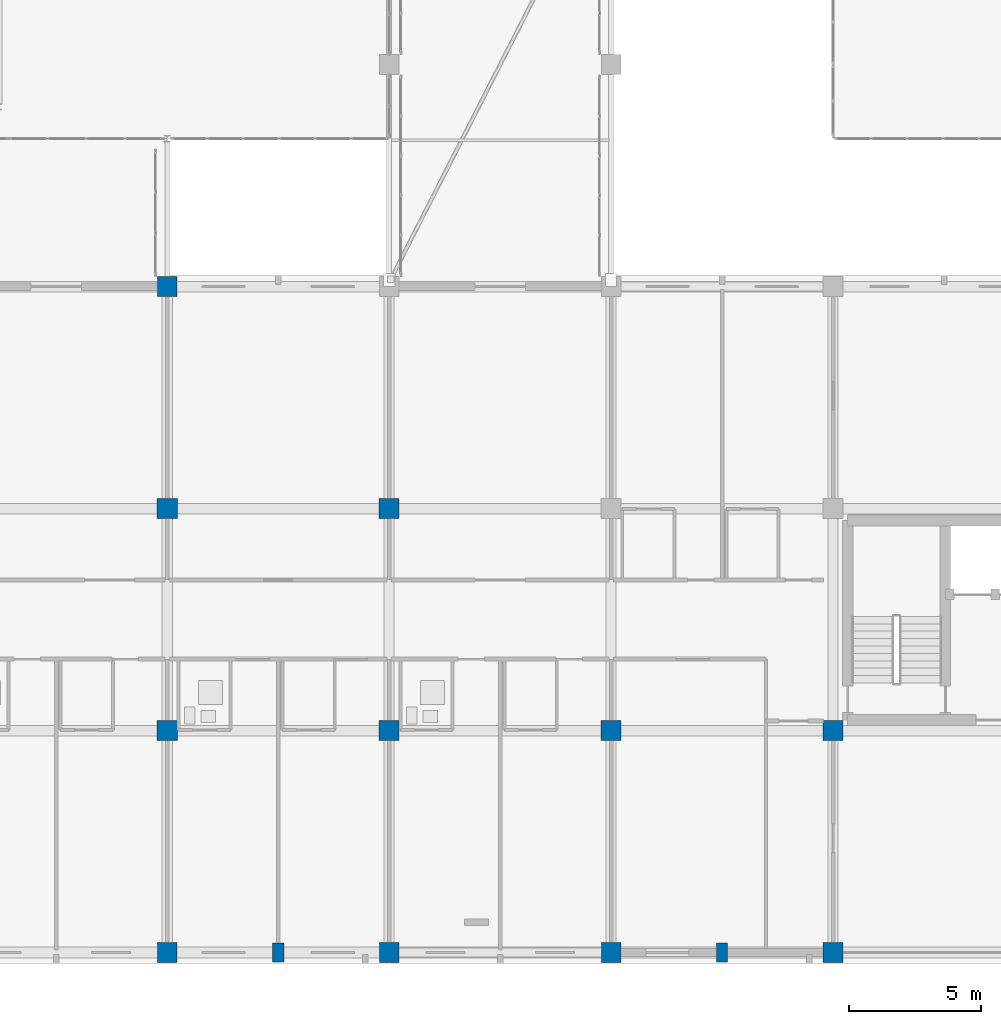
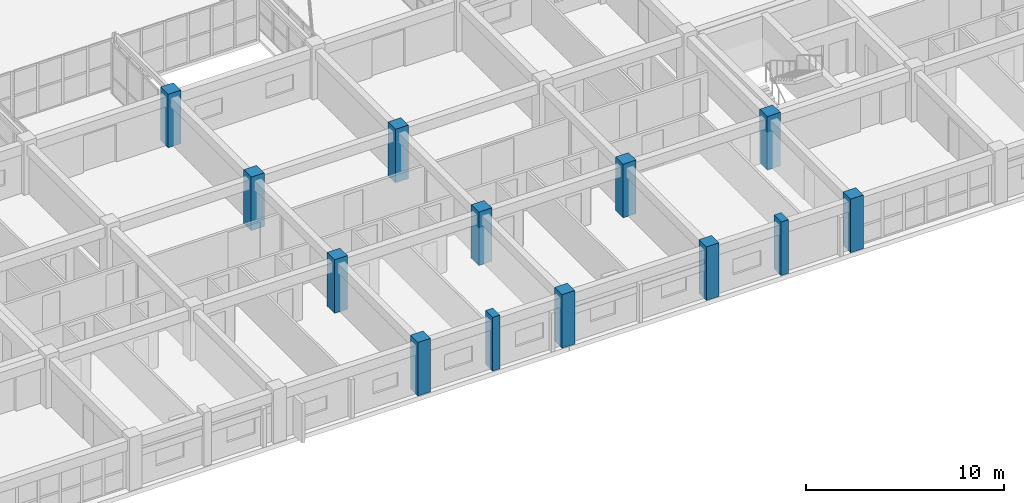
# One storey, part 6 of 200: 13 columns.
"""IFC4 building model written with IfcOpenShell, lengths in metres."""

from ifc_helpers import new_model, si_unit, direction, frame, origin, origin_2d, place, context, subcontext, project, spatial, rectangle, extrude, material, material_profile, profile_set, type_object, element, save


model = new_model("IFC4")

# Units and contexts
model_context = context("Model", 3, precision=1e-05, world=origin(), true_north=direction((0.0, 1.0)))
body_context = subcontext(model_context, "Body", "Model", "MODEL_VIEW")
ifc_project = project(units=[si_unit("LENGTHUNIT", "METRE"), si_unit("AREAUNIT", "SQUARE_METRE"), si_unit("VOLUMEUNIT", "CUBIC_METRE"), si_unit("PLANEANGLEUNIT", "RADIAN"), si_unit("MASSUNIT", "GRAM", prefix="KILO")], contexts=[model_context])

# Site, building, storey
site_placement = place(None, origin())
site = spatial("IfcSite", under=ifc_project, at=site_placement, CompositionType="ELEMENT")
building_placement = place(site_placement, origin())
building = spatial("IfcBuilding", under=site, at=building_placement, Name="Trelvath General Hospital", CompositionType="ELEMENT")
storey_placement = place(building_placement, frame((0.0, 0.0, 4.800048828125)))
storey = spatial("IfcBuildingStorey", under=building, at=storey_placement, Name="L01", CompositionType="ELEMENT", Elevation=4.800048828125)

# Columns
ifc_material_1 = material(Name="Concrete C40/50", Category="concrete")
ifc_material_profile_1 = material_profile(ifc_material_1, rectangle(XDim=0.75, YDim=0.75, at=origin_2d()), Name="RC750x750")
ifc_profile_set_1 = profile_set([ifc_material_profile_1], Name="Concrete C40/50")
column_type_1 = type_object("IfcColumnType", Name="Column RC750", PredefinedType="COLUMN", material=ifc_profile_set_1)
for number, where, z_axis, x_axis, name in (
    (1, (67.199951171875, 0.0, 0.0), (0.0, 0.0, 1.0), (1.0, 0.0, 0.0), "Column C-9A L01"),
    (2, (67.199951171875, 25.199951171875, 0.0), (0.0, 0.0, 1.0), (1.0, 0.0, 0.0), "Column C-9D L01"),
    (3, (75.60009765625, 0.0, 0.0), (0.0, 0.0, 1.0), (1.0, 0.0, 0.0), "Column C-10A L01"),
    (4, (84.0, 0.0, 0.0), (0.0, 0.0, 1.0), (1.0, 0.0, 0.0), "Column C-11A L01"),
    (5, (92.39990234375, 0.0, 0.0), (0.0, 0.0, 1.0), (1.0, 0.0, 0.0), "Column C-12A L01"),
):
    element("IfcColumn", number, at=place(storey_placement, frame(where, z_axis=z_axis, x_axis=x_axis)), inside=storey, type_object=column_type_1, Name=name, PredefinedType="COLUMN", context=body_context, shape_type="SweptSolid", body=[
        extrude(rectangle(XDim=0.75, YDim=0.75, at=origin_2d()), origin(), (0.0, 0.0, 1.0), 3.300048828125),
    ])
ifc_material_2 = material(Name="Concrete C40/50", Category="concrete")
ifc_material_profile_2 = material_profile(ifc_material_2, rectangle(XDim=0.760009765625, YDim=0.760009765625, at=origin_2d()), Name="RC760x760")
ifc_profile_set_2 = profile_set([ifc_material_profile_2], Name="Concrete C40/50")
column_type_2 = type_object("IfcColumnType", Name="Column RC760", PredefinedType="COLUMN", material=ifc_profile_set_2)
for number, where, z_axis, x_axis, name in (
    (6, (67.199951171875, 8.39990234375, 0.0), (0.0, 0.0, 1.0), (1.0, 0.0, 0.0), "Column C-9B L01"),
    (7, (67.199951171875, 16.800048828125, 0.0), (0.0, 0.0, 1.0), (1.0, 0.0, 0.0), "Column C-9C L01"),
    (8, (75.60009765625, 8.39990234375, 0.0), (0.0, 0.0, 1.0), (1.0, 0.0, 0.0), "Column C-10B L01"),
    (9, (75.60009765625, 16.800048828125, 0.0), (0.0, 0.0, 1.0), (1.0, 0.0, 0.0), "Column C-10C L01"),
    (10, (84.0, 8.39990234375, 0.0), (0.0, 0.0, 1.0), (1.0, 0.0, 0.0), "Column C-11B L01"),
    (11, (92.39990234375, 8.39990234375, 0.0), (0.0, 0.0, 1.0), (1.0, 0.0, 0.0), "Column C-12B L01"),
):
    element("IfcColumn", number, at=place(storey_placement, frame(where, z_axis=z_axis, x_axis=x_axis)), inside=storey, type_object=column_type_2, Name=name, PredefinedType="COLUMN", context=body_context, shape_type="SweptSolid", body=[
        extrude(rectangle(XDim=0.760009765625, YDim=0.760009765625, at=origin_2d()), origin(), (0.0, 0.0, 1.0), 3.300048828125),
    ])
ifc_material_3 = material(Name="Concrete C40/50", Category="concrete")
ifc_material_profile_3 = material_profile(ifc_material_3, rectangle(XDim=0.419921875, YDim=0.719970703125, at=origin_2d()), Name="RC420x720")
ifc_profile_set_3 = profile_set([ifc_material_profile_3], Name="Concrete C40/50")
column_type_3 = type_object("IfcColumnType", Name="Pilaster RC420x720", PredefinedType="PILASTER", material=ifc_profile_set_3)
for number, where, z_axis, x_axis, name in (
    (12, (71.39990234375, 0.0, 0.0), (0.0, 0.0, 1.0), (1.0, 0.0, 0.0), "Facade Pilaster PL-S08 L01"),
    (13, (88.199951171875, 0.0, 0.0), (0.0, 0.0, 1.0), (1.0, 0.0, 0.0), "Facade Pilaster PL-S10 L01"),
):
    element("IfcColumn", number, at=place(storey_placement, frame(where, z_axis=z_axis, x_axis=x_axis)), inside=storey, type_object=column_type_3, Name=name, PredefinedType="PILASTER", context=body_context, shape_type="SweptSolid", body=[
        extrude(rectangle(XDim=0.419921875, YDim=0.719970703125, at=origin_2d()), origin(), (0.0, 0.0, 1.0), 3.300048828125),
    ])

save(model, "model.ifc")
